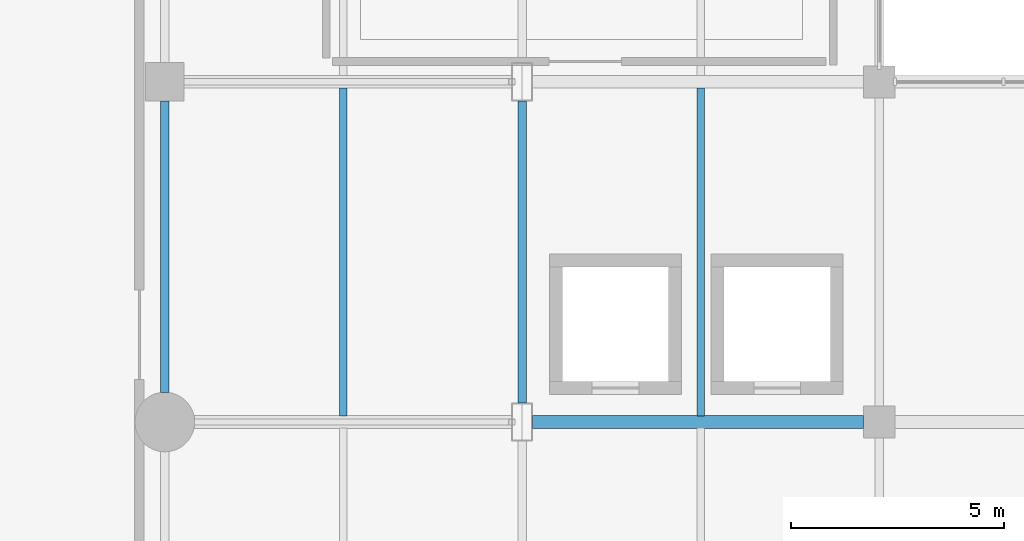
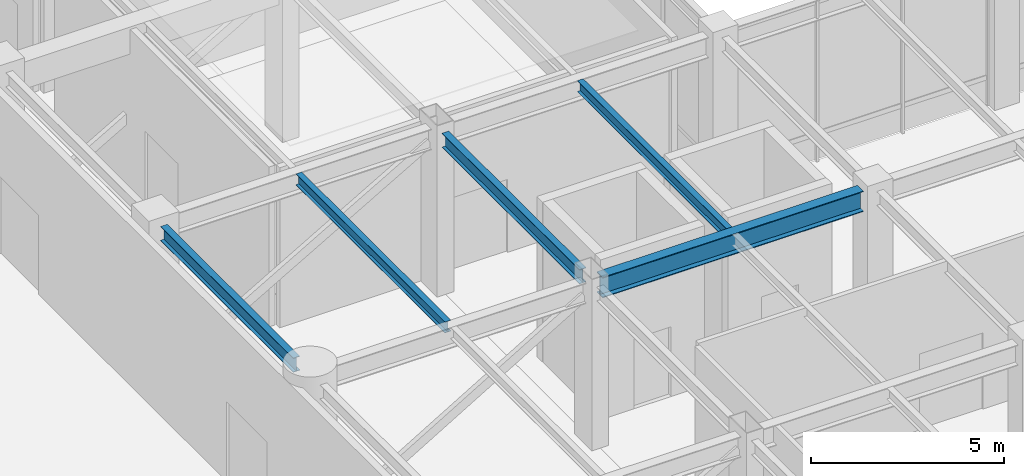
# One storey, part 20 of 79: 5 beams.
"""IFC4 building model written with IfcOpenShell, lengths in metres."""

from ifc_helpers import new_model, si_unit, direction, frame, origin, origin_2d, place, context, subcontext, project, spatial, i_section, extrude, material, material_profile, profile_set, type_object, element, save


model = new_model("IFC4")

# Units and contexts
model_context = context("Model", 3, precision=1e-05, world=origin(), true_north=direction((0.0, 1.0)))
body_context = subcontext(model_context, "Body", "Model", "MODEL_VIEW")
ifc_project = project(units=[si_unit("LENGTHUNIT", "METRE"), si_unit("AREAUNIT", "SQUARE_METRE"), si_unit("VOLUMEUNIT", "CUBIC_METRE"), si_unit("PLANEANGLEUNIT", "RADIAN"), si_unit("MASSUNIT", "GRAM", prefix="KILO")], contexts=[model_context])

# Site, building, storey
site_placement = place(None, origin())
site = spatial("IfcSite", under=ifc_project, at=site_placement, CompositionType="ELEMENT")
building_placement = place(site_placement, origin())
building = spatial("IfcBuilding", under=site, at=building_placement, Name="Naruveol Harbour Congress Hotel", CompositionType="ELEMENT")
storey_placement = place(building_placement, frame((0.0, 0.0, 6.0)))
storey = spatial("IfcBuildingStorey", under=building, at=storey_placement, Name="L01", CompositionType="ELEMENT", Elevation=6.0)

# Beams
ifc_material_1 = material(Name="Steel SN490", Category="steel")
ifc_material_profile_1 = material_profile(ifc_material_1, i_section(OverallWidth=0.300048828125, OverallDepth=0.64990234375, WebThickness=0.012939453125, FlangeThickness=0.02392578125, at=origin_2d()), Name="H-650x300x13x24")
ifc_profile_set_1 = profile_set([ifc_material_profile_1], Name="Steel SN490")
beam_type_1 = type_object("IfcBeamType", Name="STEEL ATRIUM TIE GIRDER H650", PredefinedType="BEAM", material=ifc_profile_set_1)
beam_1_placement = place(storey_placement, frame((59.0458984375, 24.0, 4.794921875), z_axis=(1.0, 0.0, 0.0), x_axis=(0.0, 1.0, 0.0)))
element("IfcBeam", 1, at=beam_1_placement, inside=storey, type_object=beam_type_1, Name="Floor girder L02 SG2", PredefinedType="BEAM", context=body_context, shape_type="SweptSolid", body=[
    extrude(i_section(OverallWidth=0.300048828125, OverallDepth=0.64990234375, WebThickness=0.012939453125, FlangeThickness=0.02392578125, at=origin_2d()), origin(), (0.0, 0.0, 1.0), 7.783203125),
])
ifc_material_2 = material(Name="Steel SN490", Category="steel")
ifc_material_profile_2 = material_profile(ifc_material_2, i_section(OverallWidth=0.175048828125, OverallDepth=0.35009765625, WebThickness=0.007080078125, FlangeThickness=0.010986328125, at=origin_2d()), Name="H-350x175x7x11")
ifc_profile_set_2 = profile_set([ifc_material_profile_2], Name="Steel SN490")
beam_type_2 = type_object("IfcBeamType", Name="STEEL SECONDARY JOIST H350", PredefinedType="JOIST", material=ifc_profile_set_2)
for number, where, z_axis, x_axis, name in (
    (2, (54.60009765625, 24.14599609375, 4.945068359375), (0.0, 1.0, 0.0), (-1.0, 0.0, 0.0), "Secondary floor joist L02 SJ2"),
    (3, (63.0, 24.14599609375, 4.945068359375), (0.0, 1.0, 0.0), (-1.0, 0.0, 0.0), "Secondary floor joist L02 SJ2"),
):
    element("IfcBeam", number, at=place(storey_placement, frame(where, z_axis=z_axis, x_axis=x_axis)), inside=storey, type_object=beam_type_2, Name=name, PredefinedType="JOIST", context=body_context, shape_type="SweptSolid", body=[
        extrude(i_section(OverallWidth=0.175048828125, OverallDepth=0.35009765625, WebThickness=0.007080078125, FlangeThickness=0.010986328125, at=origin_2d()), origin(), (0.0, 0.0, 1.0), 7.7080078125),
    ])
ifc_material_3 = material(Name="Steel SN490", Category="steel")
ifc_material_profile_3 = material_profile(ifc_material_3, i_section(OverallWidth=0.199951171875, OverallDepth=0.449951171875, WebThickness=0.009033203125, FlangeThickness=0.013916015625, at=origin_2d()), Name="H-450x200x9x14")
ifc_profile_set_3 = profile_set([ifc_material_profile_3], Name="Steel SN490")
beam_type_3 = type_object("IfcBeamType", Name="STEEL SPANDREL EDGE BEAM H450", PredefinedType="SPANDREL", material=ifc_profile_set_3)
beam_2_placement = place(storey_placement, frame((50.39990234375, 24.696044921875, 4.89501953125), z_axis=(0.0, 1.0, 0.0), x_axis=(-1.0, 0.0, 0.0)))
element("IfcBeam", 4, at=beam_2_placement, inside=storey, type_object=beam_type_3, Name="Transverse girder L02 SPB2", PredefinedType="SPANDREL", context=body_context, shape_type="SweptSolid", body=[
    extrude(i_section(OverallWidth=0.199951171875, OverallDepth=0.449951171875, WebThickness=0.009033203125, FlangeThickness=0.013916015625, at=origin_2d()), origin(), (0.0, 0.0, 1.0), 6.85791015625),
])
beam_3_placement = place(storey_placement, frame((58.800048828125, 24.446044921875, 4.89501953125), z_axis=(0.0, 1.0, 0.0), x_axis=(-1.0, 0.0, 0.0)))
element("IfcBeam", 5, at=beam_3_placement, inside=storey, type_object=beam_type_3, Name="Transverse girder L02 SPB2", PredefinedType="SPANDREL", context=body_context, shape_type="SweptSolid", body=[
    extrude(i_section(OverallWidth=0.199951171875, OverallDepth=0.449951171875, WebThickness=0.009033203125, FlangeThickness=0.013916015625, at=origin_2d()), origin(), (0.0, 0.0, 1.0), 7.10791015625),
])

save(model, "model.ifc")
